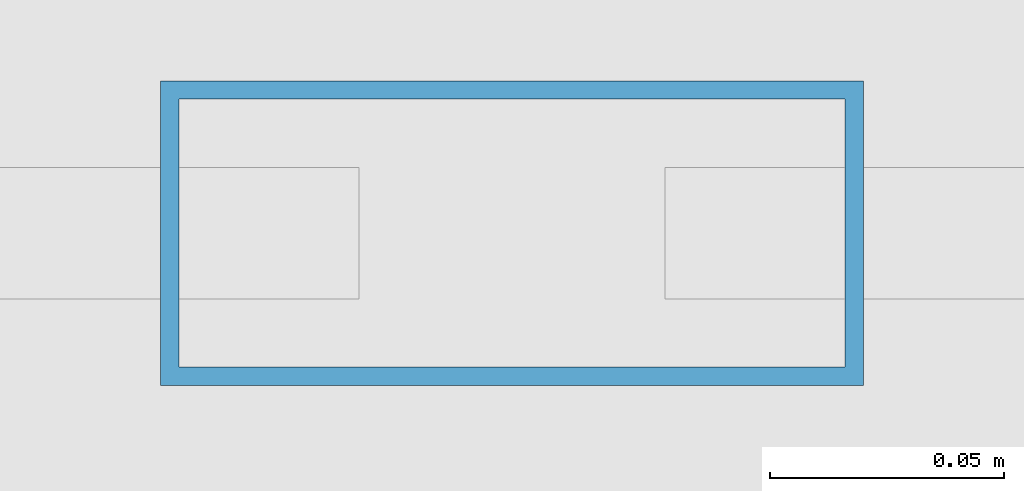
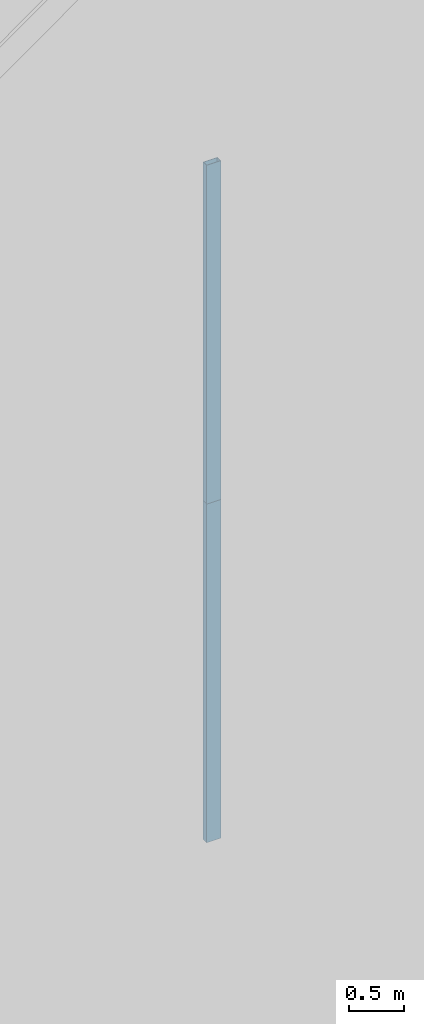
# One storey, part 19 of 28: 2 members, 2 elements without a shape of their own.
"""IFC4 building model written with IfcOpenShell, lengths in metres."""

from ifc_helpers import new_model, si_unit, direction, frame, origin, origin_2d, place, context, subcontext, project, spatial, hollow_rectangle, extrude, material, material_profile, profile_set, type_object, element, aggregate, save


model = new_model("IFC4")

# Units and contexts
model_context = context("Model", 3, precision=1e-05, world=origin(), true_north=direction((0.0, 1.0)))
body_context = subcontext(model_context, "Body", "Model", "MODEL_VIEW")
ifc_project = project(units=[si_unit("LENGTHUNIT", "METRE"), si_unit("AREAUNIT", "SQUARE_METRE"), si_unit("VOLUMEUNIT", "CUBIC_METRE"), si_unit("PLANEANGLEUNIT", "RADIAN"), si_unit("MASSUNIT", "GRAM", prefix="KILO")], contexts=[model_context])

# Site, building, storey
site_placement = place(None, origin())
site = spatial("IfcSite", under=ifc_project, at=site_placement, CompositionType="ELEMENT")
building_placement = place(site_placement, origin())
building = spatial("IfcBuilding", under=site, at=building_placement, Name="Tashvorn Skyway Center", CompositionType="ELEMENT")
storey_placement = place(building_placement, frame((0.0, 0.0, 277.60009765625)))
storey = spatial("IfcBuildingStorey", under=building, at=storey_placement, Name="Roof Level", CompositionType="ELEMENT", Elevation=277.60009765625)

# Curtain wall, member
ifc_material = material(Name="Thermally broken bronze-anodized aluminium 6063-T6", Category="aluminium")
curtain_wall_type = type_object("IfcCurtainWallType", Name="CW-CW-SKY", PredefinedType="NOTDEFINED", material=ifc_material)
curtain_wall_1_placement = place(storey_placement, origin())
curtain_wall_1 = element("IfcCurtainWall", 1, at=curtain_wall_1_placement, inside=storey, type_object=curtain_wall_type, Name="CROWN Lantern Fritted Curtain Wall T1 N-3", PredefinedType="NOTDEFINED")
ifc_material_profile = material_profile(ifc_material, hollow_rectangle(XDim=0.06494140625, YDim=0.14990234375, WallThickness=0.00390625, at=origin_2d()), Name="ALU-MULL-65x150")
ifc_profile_set = profile_set([ifc_material_profile], Name="Thermally broken bronze-anodized aluminium 6063-T6")
member_type = type_object("IfcMemberType", Name="CWM-CW-SKY", PredefinedType="MULLION", material=ifc_profile_set)
member_1_placement = place(storey_placement, frame((42.0, 46.219970703125, 7.52978515625), z_axis=(0.0, 0.0, 1.0), x_axis=(0.0, 1.0, 0.0)))
member_1 = element("IfcMember", 2, at=member_1_placement, type_object=member_type, Name="CW-SKY mullion 2", PredefinedType="MULLION", context=body_context, shape_type="SweptSolid", body=[
    extrude(hollow_rectangle(XDim=0.06494140625, YDim=0.14990234375, WallThickness=0.00390625, at=origin_2d()), origin(), (0.0, 0.0, 1.0), 3.76513671875),
])
aggregate(curtain_wall_1, [member_1])

curtain_wall_2_placement = place(storey_placement, origin())
curtain_wall_2 = element("IfcCurtainWall", 3, at=curtain_wall_2_placement, inside=storey, type_object=curtain_wall_type, Name="CROWN Lantern Fritted Curtain Wall T1 N-4", PredefinedType="NOTDEFINED")
member_2_placement = place(storey_placement, frame((42.0, 46.219970703125, 11.294921875), z_axis=(0.0, 0.0, 1.0), x_axis=(0.0, 1.0, 0.0)))
member_2 = element("IfcMember", 4, at=member_2_placement, type_object=member_type, Name="CW-SKY mullion 2", PredefinedType="MULLION", context=body_context, shape_type="SweptSolid", body=[
    extrude(hollow_rectangle(XDim=0.06494140625, YDim=0.14990234375, WallThickness=0.00390625, at=origin_2d()), origin(), (0.0, 0.0, 1.0), 3.764892578125),
])
aggregate(curtain_wall_2, [member_2])

save(model, "model.ifc")
